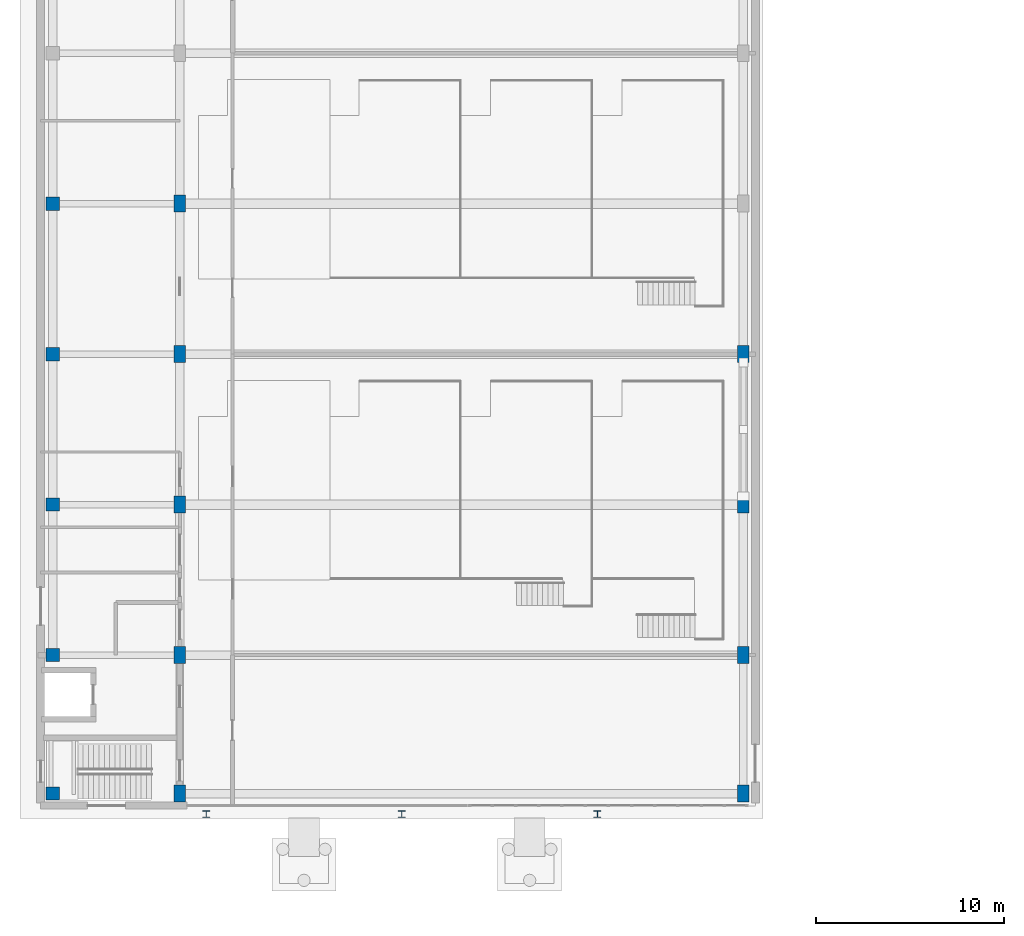
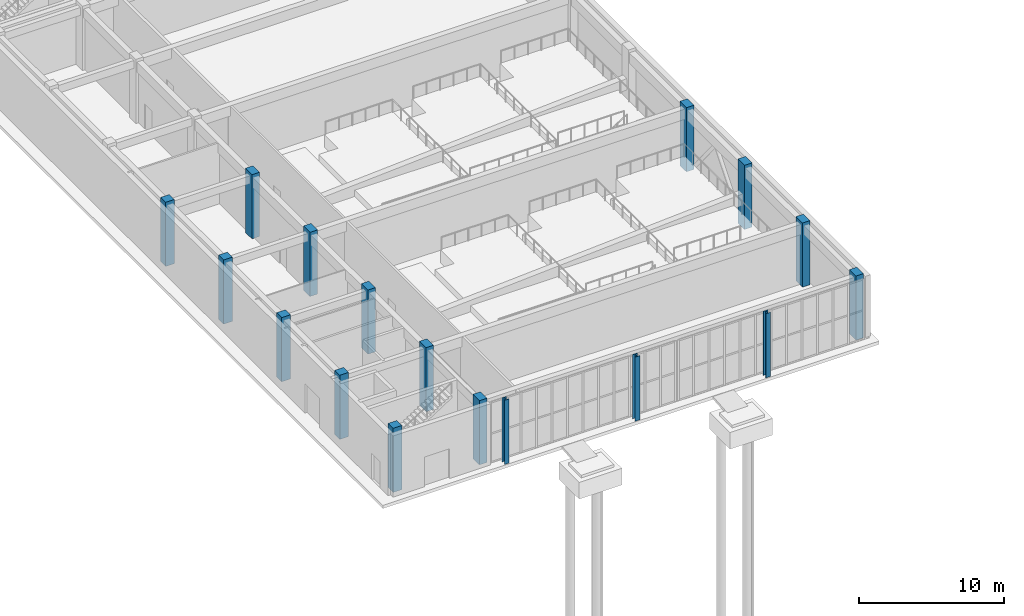
# One storey, part 2 of 46: 17 columns.
"""IFC4 building model written with IfcOpenShell, lengths in metres."""

from ifc_helpers import new_model, si_unit, direction, frame, origin, origin_2d, place, context, subcontext, project, spatial, rectangle, i_section, extrude, material, material_profile, profile_set, type_object, element, save


model = new_model("IFC4")

# Units and contexts
model_context = context("Model", 3, precision=1e-05, world=origin(), true_north=direction((0.0, 1.0)))
body_context = subcontext(model_context, "Body", "Model", "MODEL_VIEW")
ifc_project = project(units=[si_unit("LENGTHUNIT", "METRE"), si_unit("AREAUNIT", "SQUARE_METRE"), si_unit("VOLUMEUNIT", "CUBIC_METRE"), si_unit("PLANEANGLEUNIT", "RADIAN"), si_unit("MASSUNIT", "GRAM", prefix="KILO")], contexts=[model_context])

# Site, building, storey
site_placement = place(None, origin())
site = spatial("IfcSite", under=ifc_project, at=site_placement, CompositionType="ELEMENT")
building_placement = place(site_placement, origin())
building = spatial("IfcBuilding", under=site, at=building_placement, Name="Cinchona Park Media Centre", CompositionType="ELEMENT")
storey_placement = place(building_placement, origin())
storey = spatial("IfcBuildingStorey", under=building, at=storey_placement, Name="L00", CompositionType="ELEMENT", Elevation=0.0)

# Columns
ifc_material_1 = material(Name="Concrete C40/50", Category="concrete")
ifc_material_profile_1 = material_profile(ifc_material_1, rectangle(XDim=0.699951171875, YDim=0.699951171875, at=origin_2d()), Name="RC 700X700")
ifc_profile_set_1 = profile_set([ifc_material_profile_1], Name="Concrete C40/50")
column_type_1 = type_object("IfcColumnType", Name="COL-C02-RC700X700", PredefinedType="COLUMN", material=ifc_profile_set_1)
for number, where, z_axis, x_axis, name in (
    (1, (8.639892578125, 8.239990234375, 0.0), (0.0, 0.0, 1.0), (1.0, 0.0, 0.0), "Column C02 L00"),
    (2, (8.639892578125, 15.60009765625, 0.0), (0.0, 0.0, 1.0), (1.0, 0.0, 0.0), "Column C02 L00"),
    (3, (8.639892578125, 23.60009765625, 0.0), (0.0, 0.0, 1.0), (1.0, 0.0, 0.0), "Column C02 L00"),
    (4, (8.639892578125, 31.60009765625, 0.0), (0.0, 0.0, 1.0), (1.0, 0.0, 0.0), "Column C02 L00"),
    (5, (8.639892578125, 39.60009765625, 0.0), (0.0, 0.0, 1.0), (1.0, 0.0, 0.0), "Column C02 L00"),
):
    element("IfcColumn", number, at=place(storey_placement, frame(where, z_axis=z_axis, x_axis=x_axis)), inside=storey, type_object=column_type_1, Name=name, PredefinedType="COLUMN", context=body_context, shape_type="SweptSolid", body=[
        extrude(rectangle(XDim=0.699951171875, YDim=0.699951171875, at=origin_2d()), origin(), (0.0, 0.0, 1.0), 5.39990234375),
    ])
ifc_material_2 = material(Name="Concrete C40/50", Category="concrete")
ifc_material_profile_2 = material_profile(ifc_material_2, rectangle(XDim=0.60009765625, YDim=0.89990234375, at=origin_2d()), Name="RC 600X900")
ifc_profile_set_2 = profile_set([ifc_material_profile_2], Name="Concrete C40/50")
column_type_2 = type_object("IfcColumnType", Name="COL-C05-RC600X900", PredefinedType="COLUMN", material=ifc_profile_set_2)
for number, where, z_axis, x_axis, name in (
    (6, (15.39990234375, 8.239990234375, 0.0), (0.0, 0.0, 1.0), (1.0, 0.0, 0.0), "Column C05 L00"),
    (7, (15.39990234375, 15.60009765625, 0.0), (0.0, 0.0, 1.0), (1.0, 0.0, 0.0), "Column C05 L00"),
    (8, (15.39990234375, 23.60009765625, 0.0), (0.0, 0.0, 1.0), (1.0, 0.0, 0.0), "Column C05 L00"),
    (9, (15.39990234375, 31.60009765625, 0.0), (0.0, 0.0, 1.0), (1.0, 0.0, 0.0), "Column C05 L00"),
    (10, (15.39990234375, 39.60009765625, 0.0), (0.0, 0.0, 1.0), (1.0, 0.0, 0.0), "Column C05 L00"),
    (11, (45.360107421875, 8.239990234375, 0.0), (0.0, 0.0, 1.0), (1.0, 0.0, 0.0), "Column C05 L00"),
    (12, (45.360107421875, 15.60009765625, 0.0), (0.0, 0.0, 1.0), (1.0, 0.0, 0.0), "Column C05 L00"),
    (13, (45.360107421875, 23.60009765625, 0.0), (0.0, 0.0, 1.0), (1.0, 0.0, 0.0), "Column C05 L00"),
    (14, (45.360107421875, 31.60009765625, 0.0), (0.0, 0.0, 1.0), (1.0, 0.0, 0.0), "Column C05 L00"),
):
    element("IfcColumn", number, at=place(storey_placement, frame(where, z_axis=z_axis, x_axis=x_axis)), inside=storey, type_object=column_type_2, Name=name, PredefinedType="COLUMN", context=body_context, shape_type="SweptSolid", body=[
        extrude(rectangle(XDim=0.60009765625, YDim=0.89990234375, at=origin_2d()), origin(), (0.0, 0.0, 1.0), 5.39990234375),
    ])
ifc_material_3 = material(Name="Steel S355", Category="steel")
ifc_material_profile_3 = material_profile(ifc_material_3, i_section(OverallWidth=0.37255859375, OverallDepth=0.3681640625, WebThickness=0.014404296875, FlangeThickness=0.023681640625, at=origin_2d()), Name="UC356X368X177")
ifc_profile_set_3 = profile_set([ifc_material_profile_3], Name="Steel S355")
column_type_3 = type_object("IfcColumnType", Name="COL-C08-UC356X368X177", PredefinedType="COLUMN", material=ifc_profile_set_3)
for number, where, z_axis, x_axis, name in (
    (15, (16.800048828125, 7.14990234375, 0.0), (0.0, 0.0, 1.0), (1.0, 0.0, 0.0), "Screen Portal Column C08 L00"),
    (16, (27.199951171875, 7.14990234375, 0.0), (0.0, 0.0, 1.0), (1.0, 0.0, 0.0), "Screen Portal Column C08 L00"),
    (17, (37.60009765625, 7.14990234375, 0.0), (0.0, 0.0, 1.0), (1.0, 0.0, 0.0), "Screen Portal Column C08 L00"),
):
    element("IfcColumn", number, at=place(storey_placement, frame(where, z_axis=z_axis, x_axis=x_axis)), inside=storey, type_object=column_type_3, Name=name, PredefinedType="COLUMN", context=body_context, shape_type="SweptSolid", body=[
        extrude(i_section(OverallWidth=0.37255859375, OverallDepth=0.3681640625, WebThickness=0.014404296875, FlangeThickness=0.023681640625, at=origin_2d()), origin(), (0.0, 0.0, 1.0), 5.39990234375),
    ])

save(model, "model.ifc")
